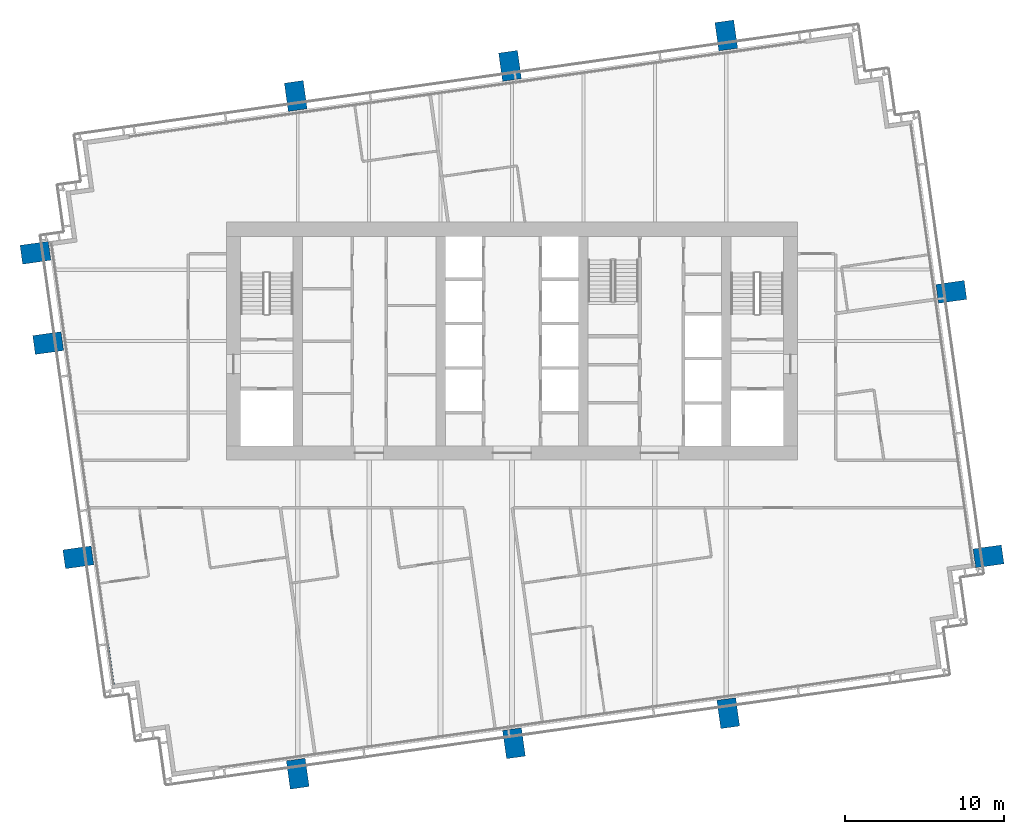
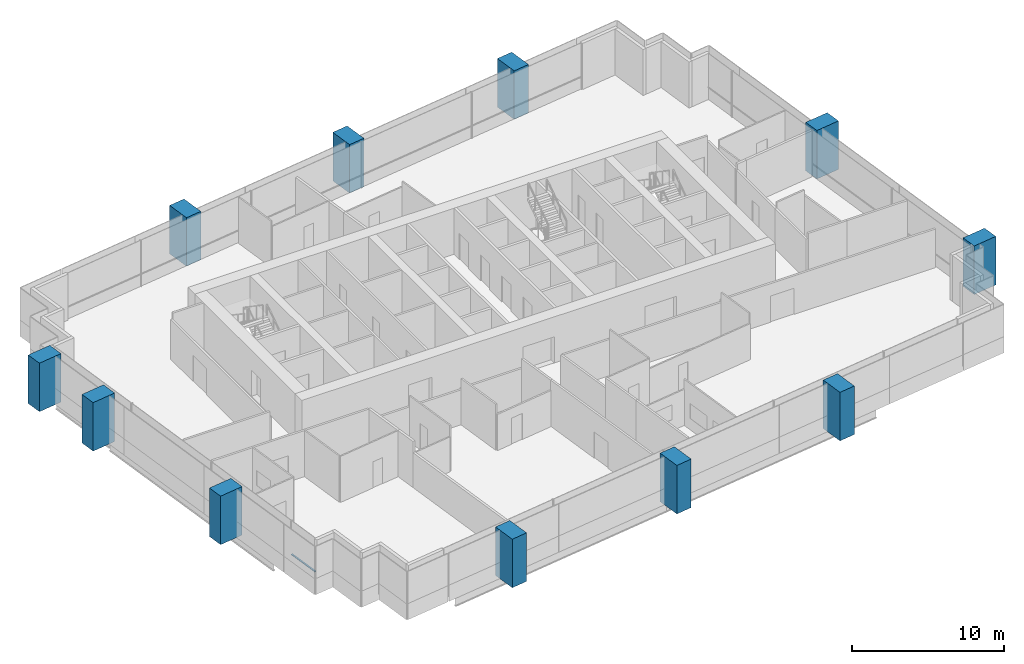
# One storey, part 1 of 18: 11 columns, 1 member, 1 element without a shape of its own.
"""IFC4 building model written with IfcOpenShell, lengths in metres."""

from ifc_helpers import new_model, si_unit, direction, frame, origin, origin_2d, place, context, subcontext, project, spatial, rectangle, extrude, material, material_profile, profile_set, type_object, element, aggregate, save


model = new_model("IFC4")

# Units and contexts
model_context = context("Model", 3, precision=1e-05, world=origin(), true_north=direction((0.0, 1.0)))
body_context = subcontext(model_context, "Body", "Model", "MODEL_VIEW")
ifc_project = project(units=[si_unit("LENGTHUNIT", "METRE"), si_unit("AREAUNIT", "SQUARE_METRE"), si_unit("VOLUMEUNIT", "CUBIC_METRE"), si_unit("PLANEANGLEUNIT", "RADIAN"), si_unit("MASSUNIT", "GRAM", prefix="KILO")], contexts=[model_context])

# Site, building, storey
site_placement = place(None, origin())
site = spatial("IfcSite", under=ifc_project, at=site_placement, CompositionType="ELEMENT")
building_placement = place(site_placement, origin())
building = spatial("IfcBuilding", under=site, at=building_placement, Name="Rattan Terrace Tower", CompositionType="ELEMENT")
storey_placement = place(building_placement, frame((0.0, 0.0, 176.300048828125)))
storey = spatial("IfcBuildingStorey", under=building, at=storey_placement, Name="L40", CompositionType="ELEMENT", Elevation=176.300048828125)

# Columns
ifc_material_1 = material(Name="Concrete C50/60", Category="concrete")
ifc_material_profile_1 = material_profile(ifc_material_1, rectangle(XDim=1.199951171875, YDim=1.800048828125, at=origin_2d()), Name="CFT 1800x1200")
ifc_profile_set_1 = profile_set([ifc_material_profile_1], Name="Concrete C50/60")
column_type = type_object("IfcColumnType", Name="Frame exoskeleton column CFT 1800x1200", PredefinedType="COLUMN", material=ifc_profile_set_1)
for number, where, z_axis, x_axis, name in (
    (1, (-13.5, -27.256103515625, -0.199951171875), (0.0, 0.0, 1.0), (0.99027049762, 0.139155817501, 0.0), "exo-L40-001"),
    (2, (0.125, -25.340087890625, -0.199951171875), (0.0, 0.0, 1.0), (0.99027049762, 0.139155817501, 0.0), "exo-L40-002"),
    (3, (13.625, -23.443115234375, -0.199951171875), (0.0, 0.0, 1.0), (0.99027049762, 0.139155817501, 0.0), "exo-L40-003"),
    (4, (-27.325927734375, -13.625, -0.199951171875), (0.0, 0.0, 1.0), (-0.139190384377, 0.990265639562, 0.0), "exo-L40-004"),
    (5, (30.02392578125, -13.56494140625, -0.199951171875), (0.0, 0.0, 1.0), (-0.139190384377, 0.990265639562, 0.0), "exo-L40-005"),
    (6, (-29.22412109375, -0.125, -0.199951171875), (0.0, 0.0, 1.0), (-0.139190384377, 0.990265639562, 0.0), "exo-L40-006"),
    (7, (27.680908203125, 3.10009765625, -0.199951171875), (0.0, 0.0, 1.0), (-0.139190384377, 0.990265639562, 0.0), "exo-L40-007"),
    (8, (-30.02392578125, 5.56494140625, -0.199951171875), (0.0, 0.0, 1.0), (-0.139190384377, 0.990265639562, 0.0), "exo-L40-008"),
    (9, (-13.625, 15.443115234375, -0.199951171875), (0.0, 0.0, 1.0), (0.99027049762, 0.139155817501, 0.0), "exo-L40-009"),
    (10, (-0.125, 17.340087890625, -0.199951171875), (0.0, 0.0, 1.0), (0.99027049762, 0.139155817501, 0.0), "exo-L40-010"),
    (11, (13.5, 19.256103515625, -0.199951171875), (0.0, 0.0, 1.0), (0.99027049762, 0.139155817501, 0.0), "exo-L40-011"),
):
    element("IfcColumn", number, at=place(storey_placement, frame(where, z_axis=z_axis, x_axis=x_axis)), inside=storey, type_object=column_type, Name=name, PredefinedType="COLUMN", context=body_context, shape_type="SweptSolid", body=[
        extrude(rectangle(XDim=1.199951171875, YDim=1.800048828125, at=origin_2d()), origin(), (0.0, 0.0, 1.0), 3.89990234375),
    ])

# Curtain wall, member
ifc_material_2 = material(Name="Aluminium and glass", Category="aluminium")
curtain_wall_type = type_object("IfcCurtainWallType", Name="Facade Unitised Curtain Wall", PredefinedType="NOTDEFINED", material=ifc_material_2)
curtain_wall_placement = place(storey_placement, origin())
curtain_wall = element("IfcCurtainWall", 12, at=curtain_wall_placement, inside=storey, type_object=curtain_wall_type, Name="Curtain wall L40-3", PredefinedType="NOTDEFINED")
ifc_material_3 = material(Name="Aluminium", Category="aluminium")
ifc_material_profile_2 = material_profile(ifc_material_3, rectangle(XDim=0.1201171875, YDim=0.06005859375, at=origin_2d()), Name="Aluminium 120x60")
ifc_profile_set_2 = profile_set([ifc_material_profile_2], Name="Aluminium")
member_type = type_object("IfcMemberType", Name="Facade CW Transom 120x60", PredefinedType="USERDEFINED", material=ifc_profile_set_2)
member_placement = place(storey_placement, frame((-25.47314453125, -19.122314453125, 1.0), z_axis=(0.139106713562, -0.990277396613, 0.0), x_axis=(0.990277396613, 0.139106713562, 0.0)))
member = element("IfcMember", 13, at=member_placement, type_object=member_type, Name="Transom cwl-L40-003.4", ObjectType="TRANSOM", PredefinedType="USERDEFINED", context=body_context, shape_type="SweptSolid", body=[
    extrude(rectangle(XDim=0.1201171875, YDim=0.06005859375, at=origin_2d()), origin(), (0.0, 0.0, 1.0), 2.525634765625),
])
aggregate(curtain_wall, [member])

save(model, "model.ifc")
